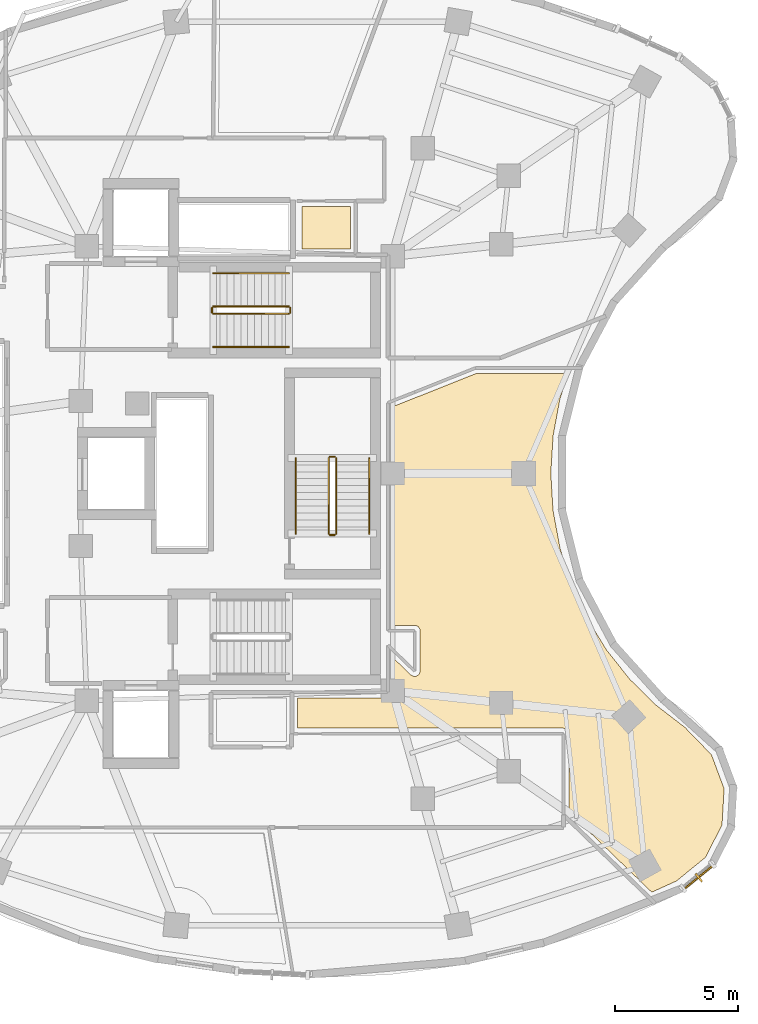
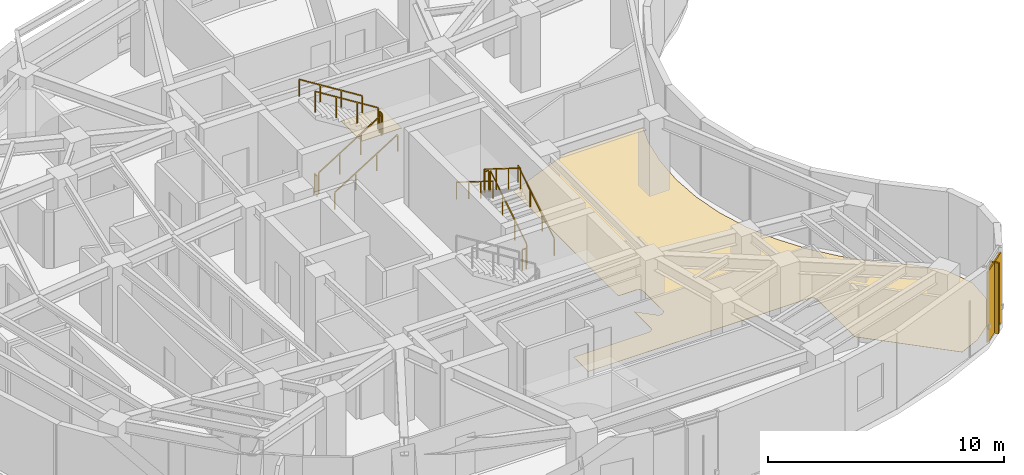
# One storey, part 12 of 13: 12 railings, 2 coverings, 2 shading devices.
"""IFC4 building model written with IfcOpenShell, lengths in metres."""

from ifc_helpers import new_model, si_unit, direction, frame, origin, origin_2d, place, context, subcontext, project, spatial, polyline, rectangle, outline, extrude, material, layer, layer_set, type_object, element, save


model = new_model("IFC4")

# Units and contexts
model_context = context("Model", 3, precision=1e-05, world=origin(), true_north=direction((0.0, 1.0)))
body_context = subcontext(model_context, "Body", "Model", "MODEL_VIEW")
ifc_project = project(units=[si_unit("LENGTHUNIT", "METRE"), si_unit("AREAUNIT", "SQUARE_METRE"), si_unit("VOLUMEUNIT", "CUBIC_METRE"), si_unit("PLANEANGLEUNIT", "RADIAN"), si_unit("MASSUNIT", "GRAM", prefix="KILO")], contexts=[model_context])

# Site, building, storey
site_placement = place(None, origin())
site = spatial("IfcSite", under=ifc_project, at=site_placement, CompositionType="ELEMENT")
building_placement = place(site_placement, origin())
building = spatial("IfcBuilding", under=site, at=building_placement, Name="Korentha Bioscience Tower", CompositionType="ELEMENT")
storey_placement = place(building_placement, frame((0.0, 0.0, 183.60009765625)))
storey = spatial("IfcBuildingStorey", under=building, at=storey_placement, Name="L42", CompositionType="ELEMENT", Elevation=183.60009765625)

# Covering
ifc_material_1 = material(Name="Vitrified Porcelain Tile", Category="ceramic")
ifc_layer_1 = layer(ifc_material_1, 0.014892578125, Name="Vitrified Porcelain Tile")
ifc_layer_set_1 = layer_set([ifc_layer_1], Name="Vitrified Porcelain Tile (FL-CER)")
covering_type_1 = type_object("IfcCoveringType", Name="Anti-Slip Ceramic Wet-Room Tile Flooring 15", PredefinedType="FLOORING", material=ifc_layer_set_1)
covering_1_placement = place(storey_placement, origin())
element("IfcCovering", 1, at=covering_1_placement, inside=storey, type_object=covering_type_1, Name="L42 Accessible Staff WC Floor Finish", PredefinedType="FLOORING", context=body_context, shape_type="SweptSolid", body=[
    extrude(outline(polyline([(33.8701171875, 36.1298828125), (33.8701171875, 37.8701171875), (35.830078125, 37.8701171875), (35.830078125, 36.1298828125), (33.8701171875, 36.1298828125)])), origin(), (0.0, 0.0, 1.0), 0.014892578125),
])

# Railings
ifc_material_2 = material(Name="Stainless Steel 304", Category="steel")
railing_type_1 = type_object("IfcRailingType", Name="Brushed Stainless Stair Handrail 900", PredefinedType="HANDRAIL", material=ifc_material_2)
railing_1_placement = place(storey_placement, frame((30.25, 32.14990234375, 0.1748046875)))
element("IfcRailing", 2, at=railing_1_placement, inside=storey, type_object=railing_type_1, Name="L42 ST-1 stair handrail 1", PredefinedType="HANDRAIL", context=body_context, shape_type="SweptSolid", body=[
    extrude(rectangle(XDim=0.048095703125, YDim=0.048095703125, at=origin_2d()), frame((0.0, 0.0, 0.8759765625), z_axis=(0.847998304005, 0.0, 0.529998940003), x_axis=(0.0, 1.0, 0.0)), (0.0, 0.0, 1.0), 3.632080078125),
    extrude(rectangle(XDim=0.0419921875, YDim=0.0419921875, at=origin_2d()), origin(), (0.0, 0.0, 1.0), 0.851806640625),
    extrude(rectangle(XDim=0.0419921875, YDim=0.0419921875, at=origin_2d()), frame((1.026611328125, 0.0, 0.6416015625)), (0.0, 0.0, 1.0), 0.851806640625),
    extrude(rectangle(XDim=0.0419921875, YDim=0.0419921875, at=origin_2d()), frame((2.053466796875, 0.0, 1.283447265625)), (0.0, 0.0, 1.0), 0.851806640625),
    extrude(rectangle(XDim=0.0419921875, YDim=0.0419921875, at=origin_2d()), frame((3.080078125, 0.0, 1.925048828125)), (0.0, 0.0, 1.0), 0.851806640625),
])
railing_2_placement = place(storey_placement, frame((33.330078125, 35.14990234375, 2.27490234375)))
element("IfcRailing", 3, at=railing_2_placement, inside=storey, type_object=railing_type_1, Name="L42 ST-1 stair handrail 2", PredefinedType="HANDRAIL", context=body_context, shape_type="SweptSolid", body=[
    extrude(rectangle(XDim=0.048095703125, YDim=0.048095703125, at=origin_2d()), frame((0.0, 0.0, 0.8759765625), z_axis=(-0.847998304005, 0.0, 0.529998940003), x_axis=(0.0, -1.0, 0.0)), (0.0, 0.0, 1.0), 3.632080078125),
    extrude(rectangle(XDim=0.0419921875, YDim=0.0419921875, at=origin_2d()), origin(), (0.0, 0.0, 1.0), 0.851806640625),
    extrude(rectangle(XDim=0.0419921875, YDim=0.0419921875, at=origin_2d()), frame((-1.026611328125, 0.0, 0.6416015625)), (0.0, 0.0, 1.0), 0.851806640625),
    extrude(rectangle(XDim=0.0419921875, YDim=0.0419921875, at=origin_2d()), frame((-2.053466796875, 0.0, 1.283447265625)), (0.0, 0.0, 1.0), 0.851806640625),
    extrude(rectangle(XDim=0.0419921875, YDim=0.0419921875, at=origin_2d()), frame((-3.080078125, 0.0, 1.925048828125)), (0.0, 0.0, 1.0), 0.851806640625),
])
railing_3_placement = place(storey_placement, frame((36.60009765625, 24.550048828125, 0.1748046875)))
element("IfcRailing", 4, at=railing_3_placement, inside=storey, type_object=railing_type_1, Name="L42 ST-3 stair handrail 1", PredefinedType="HANDRAIL", context=body_context, shape_type="SweptSolid", body=[
    extrude(rectangle(XDim=0.048095703125, YDim=0.048095703125, at=origin_2d()), frame((0.0, 0.0, 0.8759765625), z_axis=(0.0, 0.847979421464, 0.530029150871), x_axis=(-1.0, 0.0, 0.0)), (0.0, 0.0, 1.0), 3.632080078125),
    extrude(rectangle(XDim=0.0419921875, YDim=0.0419921875, at=origin_2d()), origin(), (0.0, 0.0, 1.0), 0.851806640625),
    extrude(rectangle(XDim=0.0419921875, YDim=0.0419921875, at=origin_2d()), frame((0.0, 1.026611328125, 0.6416015625)), (0.0, 0.0, 1.0), 0.851806640625),
    extrude(rectangle(XDim=0.0419921875, YDim=0.0419921875, at=origin_2d()), frame((0.0, 2.05322265625, 1.283447265625)), (0.0, 0.0, 1.0), 0.851806640625),
    extrude(rectangle(XDim=0.0419921875, YDim=0.0419921875, at=origin_2d()), frame((0.0, 3.079833984375, 1.925048828125)), (0.0, 0.0, 1.0), 0.851806640625),
])
railing_4_placement = place(storey_placement, frame((33.60009765625, 27.6298828125, 2.27490234375)))
element("IfcRailing", 5, at=railing_4_placement, inside=storey, type_object=railing_type_1, Name="L42 ST-3 stair handrail 2", PredefinedType="HANDRAIL", context=body_context, shape_type="SweptSolid", body=[
    extrude(rectangle(XDim=0.048095703125, YDim=0.048095703125, at=origin_2d()), frame((0.0, 0.0, 0.8759765625), z_axis=(0.0, -0.847979421464, 0.530029150871), x_axis=(1.0, 0.0, 0.0)), (0.0, 0.0, 1.0), 3.632080078125),
    extrude(rectangle(XDim=0.0419921875, YDim=0.0419921875, at=origin_2d()), origin(), (0.0, 0.0, 1.0), 0.851806640625),
    extrude(rectangle(XDim=0.0419921875, YDim=0.0419921875, at=origin_2d()), frame((0.0, -1.026611328125, 0.6416015625)), (0.0, 0.0, 1.0), 0.851806640625),
    extrude(rectangle(XDim=0.0419921875, YDim=0.0419921875, at=origin_2d()), frame((0.0, -2.05322265625, 1.283447265625)), (0.0, 0.0, 1.0), 0.851806640625),
    extrude(rectangle(XDim=0.0419921875, YDim=0.0419921875, at=origin_2d()), frame((0.0, -3.079833984375, 1.925048828125)), (0.0, 0.0, 1.0), 0.851806640625),
])
ifc_material_3 = material(Name="Painted Steel S275", Category="steel")
railing_type_2 = type_object("IfcRailingType", Name="Painted Steel Stair Well Guardrail 1100", PredefinedType="GUARDRAIL", material=ifc_material_3)
railing_5_placement = place(storey_placement, frame((30.25, 33.5, 0.1748046875)))
element("IfcRailing", 6, at=railing_5_placement, inside=storey, type_object=railing_type_2, Name="L42 ST-1 stair guard 1", PredefinedType="GUARDRAIL", context=body_context, shape_type="SweptSolid", body=[
    extrude(rectangle(XDim=0.048095703125, YDim=0.048095703125, at=origin_2d()), frame((0.0, 0.0, 1.076171875), z_axis=(0.847998304005, 0.0, 0.529998940003), x_axis=(0.0, 1.0, 0.0)), (0.0, 0.0, 1.0), 3.632080078125),
    extrude(rectangle(XDim=0.0419921875, YDim=0.0419921875, at=origin_2d()), origin(), (0.0, 0.0, 1.0), 1.052001953125),
    extrude(rectangle(XDim=0.0419921875, YDim=0.0419921875, at=origin_2d()), frame((1.026611328125, 0.0, 0.6416015625)), (0.0, 0.0, 1.0), 1.052001953125),
    extrude(rectangle(XDim=0.0419921875, YDim=0.0419921875, at=origin_2d()), frame((2.053466796875, 0.0, 1.283447265625)), (0.0, 0.0, 1.0), 1.052001953125),
    extrude(rectangle(XDim=0.0419921875, YDim=0.0419921875, at=origin_2d()), frame((3.080078125, 0.0, 1.925048828125)), (0.0, 0.0, 1.0), 1.052001953125),
])
railing_6_placement = place(storey_placement, frame((33.3798828125, 33.550048828125, 2.099853515625)))
element("IfcRailing", 7, at=railing_6_placement, inside=storey, type_object=railing_type_2, Name="L42 ST-1 stair guard 2", PredefinedType="GUARDRAIL", context=body_context, shape_type="SweptSolid", body=[
    extrude(rectangle(XDim=0.048095703125, YDim=0.048095703125, at=origin_2d()), frame((0.0, 0.0, 1.076171875), z_axis=(0.0, 1.0, 0.0), x_axis=(-1.0, 0.0, 0.0)), (0.0, 0.0, 1.0), 0.199951171875),
    extrude(rectangle(XDim=0.0419921875, YDim=0.0419921875, at=origin_2d()), origin(), (0.0, 0.0, 1.0), 1.052001953125),
    extrude(rectangle(XDim=0.0419921875, YDim=0.0419921875, at=origin_2d()), frame((0.0, 0.199951171875, 0.0)), (0.0, 0.0, 1.0), 1.052001953125),
])
railing_7_placement = place(storey_placement, frame((33.330078125, 33.800048828125, 2.27490234375)))
element("IfcRailing", 8, at=railing_7_placement, inside=storey, type_object=railing_type_2, Name="L42 ST-1 stair guard 3", PredefinedType="GUARDRAIL", context=body_context, shape_type="SweptSolid", body=[
    extrude(rectangle(XDim=0.048095703125, YDim=0.048095703125, at=origin_2d()), frame((0.0, 0.0, 1.076171875), z_axis=(-0.847998304005, 0.0, 0.529998940003), x_axis=(0.0, -1.0, 0.0)), (0.0, 0.0, 1.0), 3.632080078125),
    extrude(rectangle(XDim=0.0419921875, YDim=0.0419921875, at=origin_2d()), origin(), (0.0, 0.0, 1.0), 1.052001953125),
    extrude(rectangle(XDim=0.0419921875, YDim=0.0419921875, at=origin_2d()), frame((-1.026611328125, 0.0, 0.6416015625)), (0.0, 0.0, 1.0), 1.052001953125),
    extrude(rectangle(XDim=0.0419921875, YDim=0.0419921875, at=origin_2d()), frame((-2.053466796875, 0.0, 1.283447265625)), (0.0, 0.0, 1.0), 1.052001953125),
    extrude(rectangle(XDim=0.0419921875, YDim=0.0419921875, at=origin_2d()), frame((-3.080078125, 0.0, 1.925048828125)), (0.0, 0.0, 1.0), 1.052001953125),
])
railing_8_placement = place(storey_placement, frame((30.199951171875, 33.550048828125, 0.0)))
element("IfcRailing", 9, at=railing_8_placement, inside=storey, type_object=railing_type_2, Name="L42 ST-1 stair guard 4", PredefinedType="GUARDRAIL", context=body_context, shape_type="SweptSolid", body=[
    extrude(rectangle(XDim=0.048095703125, YDim=0.048095703125, at=origin_2d()), frame((0.0, 0.0, 1.076171875), z_axis=(0.0, 1.0, 0.0), x_axis=(-1.0, 0.0, 0.0)), (0.0, 0.0, 1.0), 0.199951171875),
    extrude(rectangle(XDim=0.0419921875, YDim=0.0419921875, at=origin_2d()), origin(), (0.0, 0.0, 1.0), 1.052001953125),
    extrude(rectangle(XDim=0.0419921875, YDim=0.0419921875, at=origin_2d()), frame((0.0, 0.199951171875, 0.0)), (0.0, 0.0, 1.0), 1.052001953125),
])
railing_9_placement = place(storey_placement, frame((35.25, 24.550048828125, 0.1748046875)))
element("IfcRailing", 10, at=railing_9_placement, inside=storey, type_object=railing_type_2, Name="L42 ST-3 stair guard 1", PredefinedType="GUARDRAIL", context=body_context, shape_type="SweptSolid", body=[
    extrude(rectangle(XDim=0.048095703125, YDim=0.048095703125, at=origin_2d()), frame((0.0, 0.0, 1.076171875), z_axis=(0.0, 0.847979421464, 0.530029150871), x_axis=(-1.0, 0.0, 0.0)), (0.0, 0.0, 1.0), 3.632080078125),
    extrude(rectangle(XDim=0.0419921875, YDim=0.0419921875, at=origin_2d()), origin(), (0.0, 0.0, 1.0), 1.052001953125),
    extrude(rectangle(XDim=0.0419921875, YDim=0.0419921875, at=origin_2d()), frame((0.0, 1.026611328125, 0.6416015625)), (0.0, 0.0, 1.0), 1.052001953125),
    extrude(rectangle(XDim=0.0419921875, YDim=0.0419921875, at=origin_2d()), frame((0.0, 2.05322265625, 1.283447265625)), (0.0, 0.0, 1.0), 1.052001953125),
    extrude(rectangle(XDim=0.0419921875, YDim=0.0419921875, at=origin_2d()), frame((0.0, 3.079833984375, 1.925048828125)), (0.0, 0.0, 1.0), 1.052001953125),
])
railing_10_placement = place(storey_placement, frame((35.199951171875, 27.679931640625, 2.099853515625)))
element("IfcRailing", 11, at=railing_10_placement, inside=storey, type_object=railing_type_2, Name="L42 ST-3 stair guard 2", PredefinedType="GUARDRAIL", context=body_context, shape_type="SweptSolid", body=[
    extrude(rectangle(XDim=0.048095703125, YDim=0.048095703125, at=origin_2d()), frame((0.0, 0.0, 1.076171875), z_axis=(-1.0, 0.0, 0.0), x_axis=(0.0, -1.0, 0.0)), (0.0, 0.0, 1.0), 0.199951171875),
    extrude(rectangle(XDim=0.0419921875, YDim=0.0419921875, at=origin_2d()), origin(), (0.0, 0.0, 1.0), 1.052001953125),
    extrude(rectangle(XDim=0.0419921875, YDim=0.0419921875, at=origin_2d()), frame((-0.199951171875, 0.0, 0.0)), (0.0, 0.0, 1.0), 1.052001953125),
])
railing_11_placement = place(storey_placement, frame((34.949951171875, 27.6298828125, 2.27490234375)))
element("IfcRailing", 12, at=railing_11_placement, inside=storey, type_object=railing_type_2, Name="L42 ST-3 stair guard 3", PredefinedType="GUARDRAIL", context=body_context, shape_type="SweptSolid", body=[
    extrude(rectangle(XDim=0.048095703125, YDim=0.048095703125, at=origin_2d()), frame((0.0, 0.0, 1.076171875), z_axis=(0.0, -0.847979421464, 0.530029150871), x_axis=(1.0, 0.0, 0.0)), (0.0, 0.0, 1.0), 3.632080078125),
    extrude(rectangle(XDim=0.0419921875, YDim=0.0419921875, at=origin_2d()), origin(), (0.0, 0.0, 1.0), 1.052001953125),
    extrude(rectangle(XDim=0.0419921875, YDim=0.0419921875, at=origin_2d()), frame((0.0, -1.026611328125, 0.6416015625)), (0.0, 0.0, 1.0), 1.052001953125),
    extrude(rectangle(XDim=0.0419921875, YDim=0.0419921875, at=origin_2d()), frame((0.0, -2.05322265625, 1.283447265625)), (0.0, 0.0, 1.0), 1.052001953125),
    extrude(rectangle(XDim=0.0419921875, YDim=0.0419921875, at=origin_2d()), frame((0.0, -3.079833984375, 1.925048828125)), (0.0, 0.0, 1.0), 1.052001953125),
])
railing_12_placement = place(storey_placement, frame((35.199951171875, 24.5, 0.0)))
element("IfcRailing", 13, at=railing_12_placement, inside=storey, type_object=railing_type_2, Name="L42 ST-3 stair guard 4", PredefinedType="GUARDRAIL", context=body_context, shape_type="SweptSolid", body=[
    extrude(rectangle(XDim=0.048095703125, YDim=0.048095703125, at=origin_2d()), frame((0.0, 0.0, 1.076171875), z_axis=(-1.0, 0.0, 0.0), x_axis=(0.0, -1.0, 0.0)), (0.0, 0.0, 1.0), 0.199951171875),
    extrude(rectangle(XDim=0.0419921875, YDim=0.0419921875, at=origin_2d()), origin(), (0.0, 0.0, 1.0), 1.052001953125),
    extrude(rectangle(XDim=0.0419921875, YDim=0.0419921875, at=origin_2d()), frame((-0.199951171875, 0.0, 0.0)), (0.0, 0.0, 1.0), 1.052001953125),
])

# Shading device
ifc_material_4 = material(Name="Perforated Stone-Ceramic Composite", Category="masonry")
ifc_layer_2 = layer(ifc_material_4, 0.06494140625, Name="Perforated Stone-Ceramic Composite")
ifc_layer_set_2 = layer_set([ifc_layer_2], Name="Perforated Stone-Ceramic Composite (CS-01)")
shading_device_type_1 = type_object("IfcShadingDeviceType", Name="Perforated Stone-Ceramic Solar Screen Panel 65", PredefinedType="USERDEFINED", material=ifc_layer_set_2)
shading_device_1_placement = place(storey_placement, frame((50.002197265625, 10.56005859375, 0.0), z_axis=(0.0, 0.0, 1.0), x_axis=(0.77425646139, 0.632871971251, 0.0)))
element("IfcShadingDevice", 14, at=shading_device_1_placement, inside=storey, type_object=shading_device_type_1, Name="CW-L42-37 Perforated Stone-Ceramic Solar Screen", ObjectType="SCREEN", PredefinedType="USERDEFINED", context=body_context, shape_type="SweptSolid", body=[
    extrude(rectangle(XDim=1.591796875, YDim=0.06494140625, at=origin_2d()), origin(), (0.0, 0.0, 1.0), 3.64990234375),
])

# Covering
ifc_material_5 = material(Name="Chemical-Resistant Epoxy Resin", Category="polymer")
ifc_layer_3 = layer(ifc_material_5, 0.011962890625, Name="Chemical-Resistant Epoxy Resin")
ifc_layer_set_3 = layer_set([ifc_layer_3], Name="Chemical-Resistant Epoxy Resin (FL-EPX)")
covering_type_2 = type_object("IfcCoveringType", Name="Seamless Epoxy Laboratory Flooring 12", PredefinedType="FLOORING", material=ifc_layer_set_3)
covering_2_placement = place(storey_placement, origin())
element("IfcCovering", 15, at=covering_2_placement, inside=storey, type_object=covering_type_2, Name="L42 Postdoctoral Fellows' Quiet Study 05 Floor Finish", PredefinedType="FLOORING", context=body_context, shape_type="SweptSolid", body=[
    extrude(outline(polyline([(38.296142578125, 18.796142578125), (38.406982421875, 18.74072265625), (38.51513671875, 18.747314453125), (38.62158203125, 18.819580078125), (38.667724609375, 18.917724609375), (38.66162109375, 20.66552734375), (38.590087890625, 20.77099609375), (38.472412109375, 20.82080078125), (37.580078125, 20.822021484375), (37.580078125, 29.7294921875), (40.96826171875, 31.077880859375), (44.6904296875, 31.077880859375), (44.356689453125, 30.009765625), (44.08642578125, 28.55322265625), (43.98974609375, 27.02783203125), (44.08056640625, 25.49169921875), (44.367431640625, 23.947265625), (44.814697265625, 22.5302734375), (45.440673828125, 21.150390625), (46.266357421875, 19.801513671875), (47.224853515625, 18.60205078125), (48.28173828125, 17.564208984375), (49.4521484375, 16.662841796875), (50.52978515625, 15.55224609375), (51.04541015625, 14.167724609375), (50.96044921875, 12.692626953125), (50.289306640625, 11.376220703125), (49.114013671875, 10.415283203125), (48.099365234375, 9.954833984375), (44.73681640625, 13.2021484375), (44.729736328125, 16.410888671875), (44.684326171875, 16.537353515625), (44.576904296875, 16.61669921875), (44.5, 16.6298828125), (33.679931640625, 16.6298828125), (33.679931640625, 17.8701171875), (37.35009765625, 17.8701171875), (37.447998046875, 17.891845703125), (37.534912109375, 17.96337890625), (37.57958984375, 18.088134765625), (37.580078125, 19.48779296875), (38.296142578125, 18.796142578125)])), origin(), (0.0, 0.0, 1.0), 0.011962890625),
])

# Shading device
ifc_material_6 = material(Name="Honed Travertine Limestone", Category="masonry")
ifc_layer_4 = layer(ifc_material_6, 0.080078125, Name="Honed Travertine Limestone")
ifc_layer_set_4 = layer_set([ifc_layer_4], Name="Honed Travertine Limestone (CS-02)")
shading_device_type_2 = type_object("IfcShadingDeviceType", Name="Vertical Honed Limestone Sunshade Fin 80x420", PredefinedType="USERDEFINED", material=ifc_layer_set_4)
shading_device_2_placement = place(storey_placement, frame((50.0146484375, 10.54443359375, 0.0), z_axis=(0.0, 0.0, 1.0), x_axis=(0.77425646139, 0.632871971251, 0.0)))
element("IfcShadingDevice", 16, at=shading_device_2_placement, inside=storey, type_object=shading_device_type_2, Name="CW-L42-37 Limestone Sunshade Fin", ObjectType="SCREEN", PredefinedType="USERDEFINED", context=body_context, shape_type="SweptSolid", body=[
    extrude(rectangle(XDim=0.080078125, YDim=0.419921875, at=origin_2d()), origin(), (0.0, 0.0, 1.0), 3.64990234375),
])

save(model, "model.ifc")
